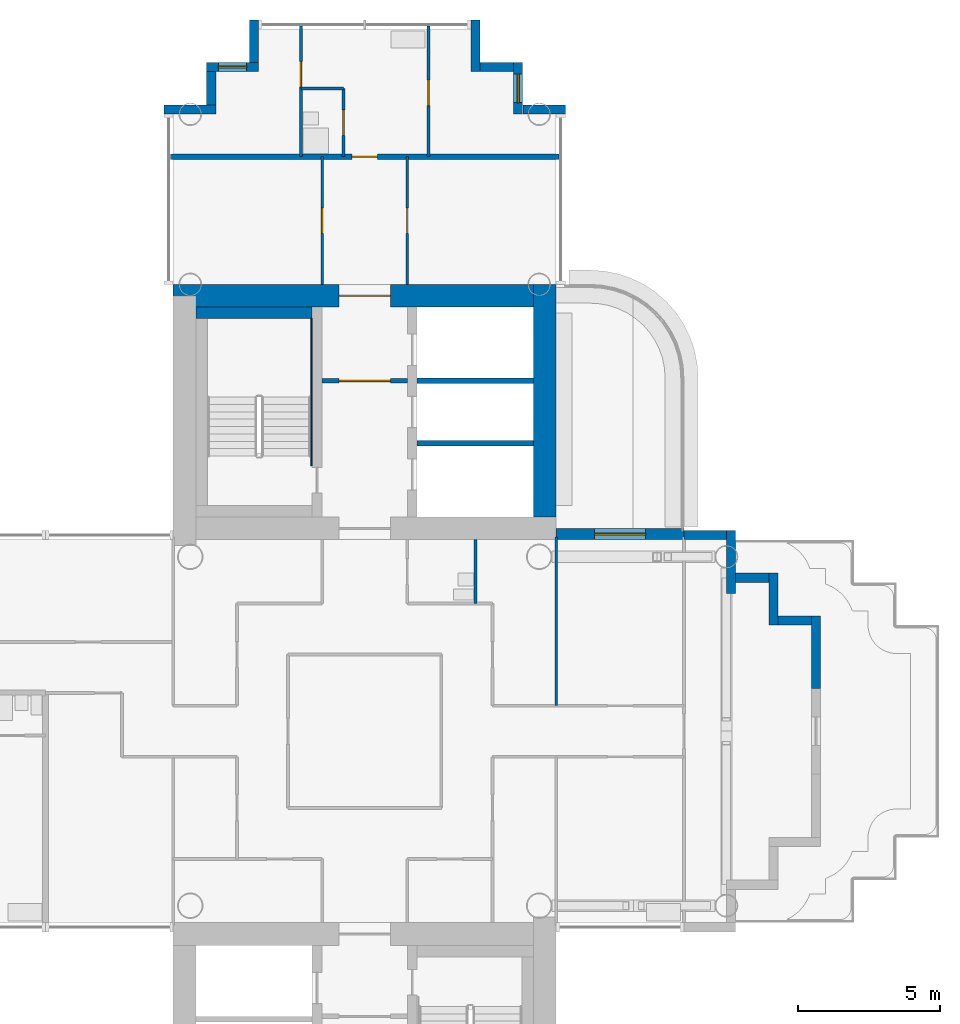
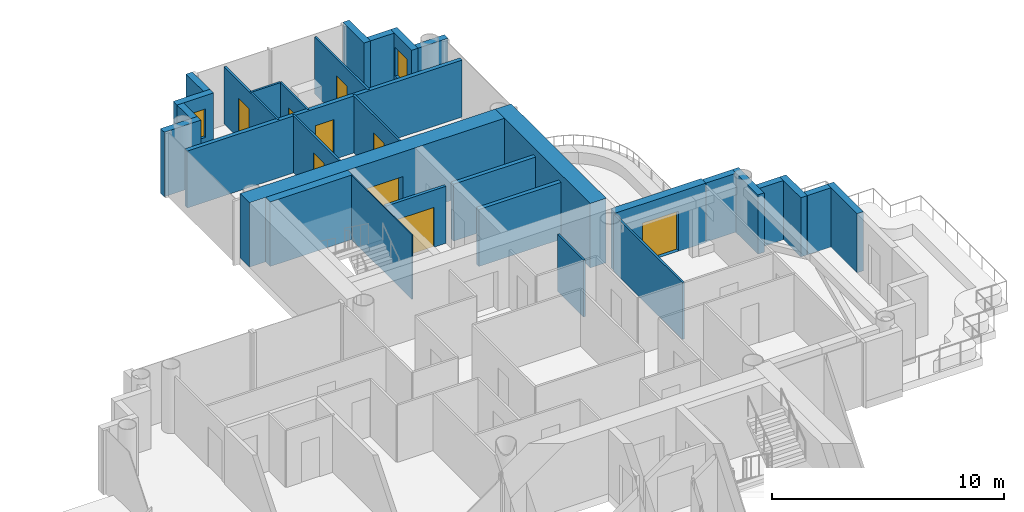
# One storey, part 12 of 19: 31 walls, 9 doors, 2 windows, 11 openings.
"""IFC4 building model written with IfcOpenShell, lengths in metres."""

from ifc_helpers import new_model, si_unit, direction, frame, frame_2d, origin, place, context, subcontext, project, spatial, rectangle, extrude, material, layer, layer_set, type_object, element, fill, save


model = new_model("IFC4")

# Units and contexts
model_context = context("Model", 3, precision=1e-05, world=origin(), true_north=direction((0.0, 1.0)))
body_context = subcontext(model_context, "Body", "Model", "MODEL_VIEW")
ifc_project = project(units=[si_unit("LENGTHUNIT", "METRE"), si_unit("AREAUNIT", "SQUARE_METRE"), si_unit("VOLUMEUNIT", "CUBIC_METRE"), si_unit("PLANEANGLEUNIT", "RADIAN"), si_unit("MASSUNIT", "GRAM", prefix="KILO")], contexts=[model_context])

# Site, building, storey
site_placement = place(None, origin())
site = spatial("IfcSite", under=ifc_project, at=site_placement, CompositionType="ELEMENT")
building_placement = place(site_placement, origin())
building = spatial("IfcBuilding", under=site, at=building_placement, Name="Ipe Terrace Towers", CompositionType="ELEMENT")
storey_placement = place(building_placement, frame((0.0, 0.0, 133.699951171875)))
storey = spatial("IfcBuildingStorey", under=building, at=storey_placement, Name="L36", CompositionType="ELEMENT", Elevation=133.699951171875)

# Wall, opening, door
ifc_material_1 = material(Name="Concrete C40/50 with buff precast cladding", Category="concrete")
ifc_layer_1 = layer(ifc_material_1, 0.39990234375)
ifc_layer_set_1 = layer_set([ifc_layer_1], Name="BALCONY BAY WALL 400")
wall_type_1 = type_object("IfcWallType", Name="BALCONY BAY WALL 400", PredefinedType="STANDARD", material=ifc_layer_set_1)
wall_1_placement = place(storey_placement, frame((47.25, 6.949951171875, -0.02001953125), z_axis=(0.0, 0.0, 1.0), x_axis=(-1.0, 0.0, 0.0)))
wall_1 = element("IfcWall", 1, at=wall_1_placement, inside=storey, type_object=wall_type_1, Name="T2-W-L36-14a wall", PredefinedType="STANDARD", context=body_context, shape_type="SweptSolid", body=[
    extrude(rectangle(XDim=4.5, YDim=0.39990234375, at=frame_2d((2.25, 0.0))), origin(), (0.0, 0.0, 1.0), 3.1201171875),
])
opening_1_placement = place(wall_1_placement, frame((1.35009765625, 0.0, 0.02001953125)))
opening_1 = element("IfcOpeningElement", 2, at=opening_1_placement, cuts=wall_1, Name="Opening T2-D-L36-14", PredefinedType="OPENING", context=body_context, shape_type="SweptSolid", body=[
    extrude(rectangle(XDim=1.800048828125, YDim=2.10009765625, at=frame_2d((0.89990234375, 1.050048828125))), frame((0.0, 0.2099609375, 0.0), z_axis=(0.0, -1.0, 0.0), x_axis=(1.0, 0.0, 0.0)), (0.0, 0.0, 1.0), 0.419921875),
])
ifc_material_2 = material(Name="Aluminium alloy 6063-T6 framed glazed door", Category="aluminium")
door_type_1 = type_object("IfcDoorType", Name="BALCONY DOOR 1800 x 2100 RIGHT", OperationType="SINGLE_SWING_RIGHT", PredefinedType="DOOR", material=ifc_material_2)
door_1_placement = place(opening_1_placement, origin())
door_1 = element("IfcDoor", 3, at=door_1_placement, inside=storey, type_object=door_type_1, Name="DB2 door", OperationType="SINGLE_SWING_RIGHT", OverallHeight=2.10009765625, OverallWidth=1.800048828125, PredefinedType="DOOR", context=body_context, shape_type="SweptSolid", body=[
    extrude(rectangle(XDim=1.800048828125, YDim=2.10009765625, at=frame_2d((0.89990234375, 1.050048828125))), frame((0.0, 0.02490234375, 0.0), z_axis=(0.0, -1.0, 0.0), x_axis=(1.0, 0.0, 0.0)), (0.0, 0.0, 1.0), 0.050048828125),
])
fill(opening_1, door_1)

# Walls
ifc_material_3 = material(Name="Concrete C40/50 with buff precast cladding", Category="concrete")
ifc_layer_2 = layer(ifc_material_3, 0.320068359375)
ifc_layer_set_2 = layer_set([ifc_layer_2], Name="BUFF CLADDING WALL 320")
wall_type_2 = type_object("IfcWallType", Name="BUFF CLADDING WALL 320", PredefinedType="STANDARD", material=ifc_layer_set_2)
wall_2_placement = place(storey_placement, frame((51.909912109375, 1.5, -0.02001953125), z_axis=(0.0, 0.0, 1.0), x_axis=(0.0, 1.0, 0.0)))
element("IfcWall", 4, at=wall_2_placement, inside=storey, type_object=wall_type_2, Name="T2-W-L36-08c wall", PredefinedType="STANDARD", context=body_context, shape_type="SweptSolid", body=[
    extrude(rectangle(XDim=2.570068359375, YDim=0.320068359375, at=frame_2d((1.28515625, 0.0))), origin(), (0.0, 0.0, 1.0), 3.1201171875),
])
wall_3_placement = place(storey_placement, frame((51.75, 3.909912109375, -0.02001953125), z_axis=(0.0, 0.0, 1.0), x_axis=(-1.0, 0.0, 0.0)))
element("IfcWall", 5, at=wall_3_placement, inside=storey, type_object=wall_type_2, Name="T2-W-L36-09a wall", PredefinedType="STANDARD", context=body_context, shape_type="SweptSolid", body=[
    extrude(rectangle(XDim=1.179931640625, YDim=0.320068359375, at=frame_2d((0.58984375, 0.0))), origin(), (0.0, 0.0, 1.0), 3.1201171875),
])
wall_4_placement = place(storey_placement, frame((50.409912109375, 3.75, -0.02001953125), z_axis=(0.0, 0.0, 1.0), x_axis=(0.0, 1.0, 0.0)))
element("IfcWall", 6, at=wall_4_placement, inside=storey, type_object=wall_type_2, Name="T2-W-L36-10a wall", PredefinedType="STANDARD", context=body_context, shape_type="SweptSolid", body=[
    extrude(rectangle(XDim=1.820068359375, YDim=0.320068359375, at=frame_2d((0.91015625, 0.0))), origin(), (0.0, 0.0, 1.0), 3.1201171875),
])
wall_5_placement = place(storey_placement, frame((50.25, 5.409912109375, -0.02001953125), z_axis=(0.0, 0.0, 1.0), x_axis=(-1.0, 0.0, 0.0)))
element("IfcWall", 7, at=wall_5_placement, inside=storey, type_object=wall_type_2, Name="T2-W-L36-11a wall", PredefinedType="STANDARD", context=body_context, shape_type="SweptSolid", body=[
    extrude(rectangle(XDim=1.179931640625, YDim=0.320068359375, at=frame_2d((0.58984375, 0.0))), origin(), (0.0, 0.0, 1.0), 3.1201171875),
])
wall_6_placement = place(storey_placement, frame((48.909912109375, 4.860107421875, -0.02001953125), z_axis=(0.0, 0.0, 1.0), x_axis=(0.0, 1.0, 0.0)))
element("IfcWall", 8, at=wall_6_placement, inside=storey, type_object=wall_type_2, Name="T2-W-L36-12a wall", PredefinedType="STANDARD", context=body_context, shape_type="SweptSolid", body=[
    extrude(rectangle(XDim=2.2099609375, YDim=0.320068359375, at=frame_2d((1.10498046875, 0.0))), origin(), (0.0, 0.0, 1.0), 3.1201171875),
])
wall_7_placement = place(storey_placement, frame((48.75, 6.909912109375, 0.0), z_axis=(0.0, 0.0, 1.0), x_axis=(-1.0, 0.0, 0.0)))
element("IfcWall", 9, at=wall_7_placement, inside=storey, type_object=wall_type_2, Name="T2-W-L36-13a wall", PredefinedType="STANDARD", context=body_context, shape_type="SweptSolid", body=[
    extrude(rectangle(XDim=1.5, YDim=0.320068359375, at=frame_2d((0.75, 0.0))), origin(), (0.0, 0.0, 1.0), 3.10009765625),
])
wall_8_placement = place(storey_placement, frame((43.070068359375, 21.909912109375, -0.300048828125), z_axis=(0.0, 0.0, 1.0), x_axis=(-1.0, 0.0, 0.0)))
element("IfcWall", 10, at=wall_8_placement, inside=storey, type_object=wall_type_2, Name="T2-W-L36-17a wall", PredefinedType="STANDARD", context=body_context, shape_type="SweptSolid", body=[
    extrude(rectangle(XDim=1.5, YDim=0.320068359375, at=frame_2d((0.75, 0.0))), origin(), (0.0, 0.0, 1.0), 3.400146484375),
])

# Wall, opening, window
wall_9_placement = place(storey_placement, frame((41.409912109375, 21.75, -0.300048828125), z_axis=(0.0, 0.0, 1.0), x_axis=(0.0, 1.0, 0.0)))
wall_9 = element("IfcWall", 11, at=wall_9_placement, inside=storey, type_object=wall_type_2, Name="T2-W-L36-18a wall", PredefinedType="STANDARD", context=body_context, shape_type="SweptSolid", body=[
    extrude(rectangle(XDim=1.820068359375, YDim=0.320068359375, at=frame_2d((0.91015625, 0.0))), origin(), (0.0, 0.0, 1.0), 3.400146484375),
])
opening_2_placement = place(wall_9_placement, frame((0.409912109375, 0.0, 1.199951171875)))
opening_2 = element("IfcOpeningElement", 12, at=opening_2_placement, cuts=wall_9, Name="Opening T2-W-05-L36-02", PredefinedType="OPENING", context=body_context, shape_type="SweptSolid", body=[
    extrude(rectangle(XDim=1.0, YDim=1.5, at=frame_2d((0.5, 0.75))), frame((0.0, 0.169921875, 0.0), z_axis=(0.0, -1.0, 0.0), x_axis=(1.0, 0.0, 0.0)), (0.0, 0.0, 1.0), 0.340087890625),
])
ifc_material_4 = material(Name="Glass, clear laminated", Category="glass")
window_type = type_object("IfcWindowType", Name="DWELLING WINDOW 1000 x 1500", PartitioningType="SINGLE_PANEL", PredefinedType="WINDOW", material=ifc_material_4)
window_1_placement = place(opening_2_placement, origin())
window_1 = element("IfcWindow", 13, at=window_1_placement, inside=storey, type_object=window_type, Name="W-05 window", OverallHeight=1.5, OverallWidth=1.0, PartitioningType="SINGLE_PANEL", PredefinedType="WINDOW", context=body_context, shape_type="SweptSolid", body=[
    extrude(rectangle(XDim=1.0, YDim=1.5, at=frame_2d((0.5, 0.75))), frame((0.0, 0.030029296875, 0.0), z_axis=(0.0, -1.0, 0.0), x_axis=(1.0, 0.0, 0.0)), (0.0, 0.0, 1.0), 0.06005859375),
])
fill(opening_2, window_1)

# Walls
wall_10_placement = place(storey_placement, frame((41.25, 23.409912109375, -0.300048828125), z_axis=(0.0, 0.0, 1.0), x_axis=(-1.0, 0.0, 0.0)))
element("IfcWall", 14, at=wall_10_placement, inside=storey, type_object=wall_type_2, Name="T2-W-L36-19a wall", PredefinedType="STANDARD", context=body_context, shape_type="SweptSolid", body=[
    extrude(rectangle(XDim=1.179931640625, YDim=0.320068359375, at=frame_2d((0.58984375, 0.0))), origin(), (0.0, 0.0, 1.0), 3.400146484375),
])
wall_11_placement = place(storey_placement, frame((39.909912109375, 23.25, -0.300048828125), z_axis=(0.0, 0.0, 1.0), x_axis=(0.0, 1.0, 0.0)))
element("IfcWall", 15, at=wall_11_placement, inside=storey, type_object=wall_type_2, Name="T2-W-L36-20a wall", PredefinedType="STANDARD", context=body_context, shape_type="SweptSolid", body=[
    extrude(rectangle(XDim=1.820068359375, YDim=0.320068359375, at=frame_2d((0.91015625, 0.0))), origin(), (0.0, 0.0, 1.0), 3.400146484375),
])
wall_12_placement = place(storey_placement, frame((32.090087890625, 25.070068359375, -0.300048828125), z_axis=(0.0, 0.0, 1.0), x_axis=(0.0, -1.0, 0.0)))
element("IfcWall", 16, at=wall_12_placement, inside=storey, type_object=wall_type_2, Name="T2-W-L36-22a wall", PredefinedType="STANDARD", context=body_context, shape_type="SweptSolid", body=[
    extrude(rectangle(XDim=1.5, YDim=0.320068359375, at=frame_2d((0.75, 0.0))), origin(), (0.0, 0.0, 1.0), 3.400146484375),
])

# Wall, opening, window
wall_13_placement = place(storey_placement, frame((32.25, 23.409912109375, -0.300048828125), z_axis=(0.0, 0.0, 1.0), x_axis=(-1.0, 0.0, 0.0)))
wall_13 = element("IfcWall", 17, at=wall_13_placement, inside=storey, type_object=wall_type_2, Name="T2-W-L36-23a wall", PredefinedType="STANDARD", context=body_context, shape_type="SweptSolid", body=[
    extrude(rectangle(XDim=1.820068359375, YDim=0.320068359375, at=frame_2d((0.91015625, 0.0))), origin(), (0.0, 0.0, 1.0), 3.400146484375),
])
opening_3_placement = place(wall_13_placement, frame((0.409912109375, 0.0, 1.199951171875)))
opening_3 = element("IfcOpeningElement", 18, at=opening_3_placement, cuts=wall_13, Name="Opening T2-W-05-L36-01", PredefinedType="OPENING", context=body_context, shape_type="SweptSolid", body=[
    extrude(rectangle(XDim=1.0, YDim=1.5, at=frame_2d((0.5, 0.75))), frame((0.0, 0.169921875, 0.0), z_axis=(0.0, -1.0, 0.0), x_axis=(1.0, 0.0, 0.0)), (0.0, 0.0, 1.0), 0.340087890625),
])
window_2_placement = place(opening_3_placement, origin())
window_2 = element("IfcWindow", 19, at=window_2_placement, inside=storey, type_object=window_type, Name="W-05 window", OverallHeight=1.5, OverallWidth=1.0, PartitioningType="SINGLE_PANEL", PredefinedType="WINDOW", context=body_context, shape_type="SweptSolid", body=[
    extrude(rectangle(XDim=1.0, YDim=1.5, at=frame_2d((0.5, 0.75))), frame((0.0, 0.030029296875, 0.0), z_axis=(0.0, -1.0, 0.0), x_axis=(1.0, 0.0, 0.0)), (0.0, 0.0, 1.0), 0.06005859375),
])
fill(opening_3, window_2)

# Walls
wall_14_placement = place(storey_placement, frame((30.590087890625, 23.25, -0.300048828125), z_axis=(0.0, 0.0, 1.0), x_axis=(0.0, -1.0, 0.0)))
element("IfcWall", 20, at=wall_14_placement, inside=storey, type_object=wall_type_2, Name="T2-W-L36-24a wall", PredefinedType="STANDARD", context=body_context, shape_type="SweptSolid", body=[
    extrude(rectangle(XDim=1.179931640625, YDim=0.320068359375, at=frame_2d((0.58984375, 0.0))), origin(), (0.0, 0.0, 1.0), 3.400146484375),
])
wall_15_placement = place(storey_placement, frame((30.75, 21.909912109375, -0.300048828125), z_axis=(0.0, 0.0, 1.0), x_axis=(-1.0, 0.0, 0.0)))
element("IfcWall", 21, at=wall_15_placement, inside=storey, type_object=wall_type_2, Name="T2-W-L36-25a wall", PredefinedType="STANDARD", context=body_context, shape_type="SweptSolid", body=[
    extrude(rectangle(XDim=1.820068359375, YDim=0.320068359375, at=frame_2d((0.91015625, 0.0))), origin(), (0.0, 0.0, 1.0), 3.400146484375),
])
ifc_material_5 = material(Name="Gypsum board partition", Category="plasterboard")
ifc_layer_3 = layer(ifc_material_5, 0.10009765625)
ifc_layer_set_3 = layer_set([ifc_layer_3], Name="Gypsum board partition 100 mm")
wall_type_3 = type_object("IfcWallType", Name="Gypsum board partition 100 mm", PredefinedType="PARTITIONING", material=ifc_layer_set_3)
wall_16_placement = place(storey_placement, frame((35.25, 22.64990234375, 0.0), z_axis=(0.0, 0.0, 1.0), x_axis=(-1.0, 0.0, 0.0)))
element("IfcWall", 22, at=wall_16_placement, inside=storey, type_object=wall_type_3, Name="Gypsum board partition T2 L36 W16", PredefinedType="PARTITIONING", context=body_context, shape_type="SweptSolid", body=[
    extrude(rectangle(XDim=1.5, YDim=0.10009765625, at=frame_2d((0.75, 0.0))), origin(), (0.0, 0.0, 1.0), 3.0),
])
wall_17_placement = place(storey_placement, frame((42.75, 0.89990234375, 0.0), z_axis=(0.0, 0.0, 1.0), x_axis=(0.0, 1.0, 0.0)))
element("IfcWall", 23, at=wall_17_placement, inside=storey, type_object=wall_type_3, Name="Gypsum board partition T2 L36 W19", PredefinedType="PARTITIONING", context=body_context, shape_type="SweptSolid", body=[
    extrude(rectangle(XDim=5.9501953125, YDim=0.10009765625, at=frame_2d((2.97509765625, 0.0))), origin(), (0.0, 0.0, 1.0), 3.0),
])
wall_18_placement = place(storey_placement, frame((39.89990234375, 4.5, 0.0), z_axis=(0.0, 0.0, 1.0), x_axis=(0.0, 1.0, 0.0)))
element("IfcWall", 24, at=wall_18_placement, inside=storey, type_object=wall_type_3, Name="Gypsum board partition T2 L36 W22", PredefinedType="PARTITIONING", context=body_context, shape_type="SweptSolid", body=[
    extrude(rectangle(XDim=2.25, YDim=0.10009765625, at=frame_2d((1.125, 0.0))), origin(), (0.0, 0.0, 1.0), 3.0),
])

# Wall, opening, door
wall_19_placement = place(storey_placement, frame((38.25, 20.25, 0.0), z_axis=(0.0, 0.0, 1.0), x_axis=(0.0, 1.0, 0.0)))
wall_19 = element("IfcWall", 25, at=wall_19_placement, inside=storey, type_object=wall_type_3, Name="Gypsum board partition T2 L36 W24", PredefinedType="PARTITIONING", context=body_context, shape_type="SweptSolid", body=[
    extrude(rectangle(XDim=4.60009765625, YDim=0.10009765625, at=frame_2d((2.300048828125, 0.0))), origin(), (0.0, 0.0, 1.0), 3.0),
])
opening_4_placement = place(wall_19_placement, frame((1.800048828125, 0.0, 0.0)))
opening_4 = element("IfcOpeningElement", 26, at=opening_4_placement, cuts=wall_19, Name="Opening T2-Z3A-22", PredefinedType="OPENING", context=body_context, shape_type="SweptSolid", body=[
    extrude(rectangle(XDim=0.89990234375, YDim=2.10009765625, at=frame_2d((0.449951171875, 1.050048828125))), frame((0.0, 0.06005859375, 0.0), z_axis=(0.0, -1.0, 0.0), x_axis=(1.0, 0.0, 0.0)), (0.0, 0.0, 1.0), 0.1201171875),
])
ifc_material_6 = material(Name="Timber door leaf", Category="wood")
door_type_2 = type_object("IfcDoorType", Name="Bedroom door 900 x 2100", OperationType="NOTDEFINED", PredefinedType="DOOR", material=ifc_material_6)
door_2_placement = place(opening_4_placement, origin())
door_2 = element("IfcDoor", 27, at=door_2_placement, inside=storey, type_object=door_type_2, Name="Bedroom door T2-Z3A-22", OperationType="SINGLE_SWING_LEFT", OverallHeight=2.10009765625, OverallWidth=0.89990234375, PredefinedType="DOOR", context=body_context, shape_type="SweptSolid", body=[
    extrude(rectangle(XDim=0.89990234375, YDim=2.10009765625, at=frame_2d((0.449951171875, 1.050048828125))), frame((0.0, 0.02490234375, 0.0), z_axis=(0.0, -1.0, 0.0), x_axis=(1.0, 0.0, 0.0)), (0.0, 0.0, 1.0), 0.050048828125),
])
fill(opening_4, door_2)

wall_20_placement = place(storey_placement, frame((37.5, 15.75, 0.0), z_axis=(0.0, 0.0, 1.0), x_axis=(0.0, 1.0, 0.0)))
wall_20 = element("IfcWall", 28, at=wall_20_placement, inside=storey, type_object=wall_type_3, Name="Gypsum board partition T2 L36 W27", PredefinedType="PARTITIONING", context=body_context, shape_type="SweptSolid", body=[
    extrude(rectangle(XDim=4.5, YDim=0.10009765625, at=frame_2d((2.25, 0.0))), origin(), (0.0, 0.0, 1.0), 3.0),
])
opening_5_placement = place(wall_20_placement, frame((1.800048828125, 0.0, 0.0)))
opening_5 = element("IfcOpeningElement", 29, at=opening_5_placement, cuts=wall_20, Name="Opening T2-Z3A-18", PredefinedType="OPENING", context=body_context, shape_type="SweptSolid", body=[
    extrude(rectangle(XDim=0.89990234375, YDim=2.10009765625, at=frame_2d((0.449951171875, 1.050048828125))), frame((0.0, 0.06005859375, 0.0), z_axis=(0.0, -1.0, 0.0), x_axis=(1.0, 0.0, 0.0)), (0.0, 0.0, 1.0), 0.1201171875),
])
ifc_material_7 = material(Name="Timber door leaf", Category="wood")
door_type_3 = type_object("IfcDoorType", Name="Lounge door 900 x 2100", OperationType="NOTDEFINED", PredefinedType="DOOR", material=ifc_material_7)
door_3_placement = place(opening_5_placement, origin())
door_3 = element("IfcDoor", 30, at=door_3_placement, inside=storey, type_object=door_type_3, Name="Lounge door T2-Z3A-18", OperationType="SINGLE_SWING_RIGHT", OverallHeight=2.10009765625, OverallWidth=0.89990234375, PredefinedType="DOOR", context=body_context, shape_type="SweptSolid", body=[
    extrude(rectangle(XDim=0.89990234375, YDim=2.10009765625, at=frame_2d((0.449951171875, 1.050048828125))), frame((0.0, 0.02490234375, 0.0), z_axis=(0.0, -1.0, 0.0), x_axis=(1.0, 0.0, 0.0)), (0.0, 0.0, 1.0), 0.050048828125),
])
fill(opening_5, door_3)

wall_21_placement = place(storey_placement, frame((35.25, 20.25, 0.0), z_axis=(0.0, 0.0, 1.0), x_axis=(0.0, 1.0, 0.0)))
wall_21 = element("IfcWall", 31, at=wall_21_placement, inside=storey, type_object=wall_type_3, Name="Gypsum board partition T2 L36 W28", PredefinedType="PARTITIONING", context=body_context, shape_type="SweptSolid", body=[
    extrude(rectangle(XDim=2.39990234375, YDim=0.10009765625, at=frame_2d((1.199951171875, 0.0))), origin(), (0.0, 0.0, 1.0), 3.0),
])
opening_6_placement = place(wall_21_placement, frame((0.75, 0.0, 0.0)))
opening_6 = element("IfcOpeningElement", 32, at=opening_6_placement, cuts=wall_21, Name="Opening T2-Z3A-19", PredefinedType="OPENING", context=body_context, shape_type="SweptSolid", body=[
    extrude(rectangle(XDim=0.89990234375, YDim=2.10009765625, at=frame_2d((0.449951171875, 1.050048828125))), frame((0.0, 0.06005859375, 0.0), z_axis=(0.0, -1.0, 0.0), x_axis=(1.0, 0.0, 0.0)), (0.0, 0.0, 1.0), 0.1201171875),
])
ifc_material_8 = material(Name="Timber door leaf", Category="wood")
door_type_4 = type_object("IfcDoorType", Name="Bathroom door 900 x 2100", OperationType="NOTDEFINED", PredefinedType="DOOR", material=ifc_material_8)
door_4_placement = place(opening_6_placement, origin())
door_4 = element("IfcDoor", 33, at=door_4_placement, inside=storey, type_object=door_type_4, Name="Bathroom door T2-Z3A-19", OperationType="SINGLE_SWING_LEFT", OverallHeight=2.10009765625, OverallWidth=0.89990234375, PredefinedType="DOOR", context=body_context, shape_type="SweptSolid", body=[
    extrude(rectangle(XDim=0.89990234375, YDim=2.10009765625, at=frame_2d((0.449951171875, 1.050048828125))), frame((0.0, 0.02490234375, 0.0), z_axis=(0.0, -1.0, 0.0), x_axis=(1.0, 0.0, 0.0)), (0.0, 0.0, 1.0), 0.050048828125),
])
fill(opening_6, door_4)

wall_22_placement = place(storey_placement, frame((34.5, 15.75, 0.0), z_axis=(0.0, 0.0, 1.0), x_axis=(0.0, 1.0, 0.0)))
wall_22 = element("IfcWall", 34, at=wall_22_placement, inside=storey, type_object=wall_type_3, Name="Gypsum board partition T2 L36 W31", PredefinedType="PARTITIONING", context=body_context, shape_type="SweptSolid", body=[
    extrude(rectangle(XDim=4.5, YDim=0.10009765625, at=frame_2d((2.25, 0.0))), origin(), (0.0, 0.0, 1.0), 3.0),
])
opening_7_placement = place(wall_22_placement, frame((1.800048828125, 0.0, 0.0)))
opening_7 = element("IfcOpeningElement", 35, at=opening_7_placement, cuts=wall_22, Name="Opening T2-Z3A-17", PredefinedType="OPENING", context=body_context, shape_type="SweptSolid", body=[
    extrude(rectangle(XDim=0.89990234375, YDim=2.10009765625, at=frame_2d((0.449951171875, 1.050048828125))), frame((0.0, 0.06005859375, 0.0), z_axis=(0.0, -1.0, 0.0), x_axis=(1.0, 0.0, 0.0)), (0.0, 0.0, 1.0), 0.1201171875),
])
door_5_placement = place(opening_7_placement, origin())
door_5 = element("IfcDoor", 36, at=door_5_placement, inside=storey, type_object=door_type_3, Name="Lounge door T2-Z3A-17", OperationType="SINGLE_SWING_LEFT", OverallHeight=2.10009765625, OverallWidth=0.89990234375, PredefinedType="DOOR", context=body_context, shape_type="SweptSolid", body=[
    extrude(rectangle(XDim=0.89990234375, YDim=2.10009765625, at=frame_2d((0.449951171875, 1.050048828125))), frame((0.0, 0.02490234375, 0.0), z_axis=(0.0, -1.0, 0.0), x_axis=(1.0, 0.0, 0.0)), (0.0, 0.0, 1.0), 0.050048828125),
])
fill(opening_7, door_5)

wall_23_placement = place(storey_placement, frame((33.75, 20.25, 0.0), z_axis=(0.0, 0.0, 1.0), x_axis=(0.0, 1.0, 0.0)))
wall_23 = element("IfcWall", 37, at=wall_23_placement, inside=storey, type_object=wall_type_3, Name="Gypsum board partition T2 L36 W32", PredefinedType="PARTITIONING", context=body_context, shape_type="SweptSolid", body=[
    extrude(rectangle(XDim=4.60009765625, YDim=0.10009765625, at=frame_2d((2.300048828125, 0.0))), origin(), (0.0, 0.0, 1.0), 3.0),
])
opening_8_placement = place(wall_23_placement, frame((2.449951171875, 0.0, 0.0)))
opening_8 = element("IfcOpeningElement", 38, at=opening_8_placement, cuts=wall_23, Name="Opening T2-Z3A-21", PredefinedType="OPENING", context=body_context, shape_type="SweptSolid", body=[
    extrude(rectangle(XDim=0.89990234375, YDim=2.10009765625, at=frame_2d((0.449951171875, 1.050048828125))), frame((0.0, 0.06005859375, 0.0), z_axis=(0.0, -1.0, 0.0), x_axis=(1.0, 0.0, 0.0)), (0.0, 0.0, 1.0), 0.1201171875),
])
door_6_placement = place(opening_8_placement, origin())
door_6 = element("IfcDoor", 39, at=door_6_placement, inside=storey, type_object=door_type_2, Name="Bedroom door T2-Z3A-21", OperationType="SINGLE_SWING_LEFT", OverallHeight=2.10009765625, OverallWidth=0.89990234375, PredefinedType="DOOR", context=body_context, shape_type="SweptSolid", body=[
    extrude(rectangle(XDim=0.89990234375, YDim=2.10009765625, at=frame_2d((0.449951171875, 1.050048828125))), frame((0.0, 0.02490234375, 0.0), z_axis=(0.0, -1.0, 0.0), x_axis=(1.0, 0.0, 0.0)), (0.0, 0.0, 1.0), 0.050048828125),
])
fill(opening_8, door_6)

ifc_material_9 = material(Name="Gypsum board partition", Category="plasterboard")
ifc_layer_4 = layer(ifc_material_9, 0.14990234375)
ifc_layer_set_4 = layer_set([ifc_layer_4], Name="Gypsum board partition 150 mm")
wall_type_4 = type_object("IfcWallType", Name="Gypsum board partition 150 mm", PredefinedType="PARTITIONING", material=ifc_layer_set_4)
wall_24_placement = place(storey_placement, frame((37.5, 12.35009765625, 0.0), z_axis=(0.0, 0.0, 1.0), x_axis=(-1.0, 0.0, 0.0)))
wall_24 = element("IfcWall", 40, at=wall_24_placement, inside=storey, type_object=wall_type_4, Name="Gypsum board partition T2 L36 t2c1-lobby-wall", PredefinedType="PARTITIONING", context=body_context, shape_type="SweptSolid", body=[
    extrude(rectangle(XDim=3.0, YDim=0.14990234375, at=frame_2d((1.5, 0.0))), origin(), (0.0, 0.0, 1.0), 3.0),
])
opening_9_placement = place(wall_24_placement, frame((0.60009765625, 0.0, 0.0)))
opening_9 = element("IfcOpeningElement", 41, at=opening_9_placement, cuts=wall_24, Name="Opening T2C1-VD", PredefinedType="OPENING", context=body_context, shape_type="SweptSolid", body=[
    extrude(rectangle(XDim=1.800048828125, YDim=2.10009765625, at=frame_2d((0.89990234375, 1.050048828125))), frame((0.0, 0.0849609375, 0.0), z_axis=(0.0, -1.0, 0.0), x_axis=(1.0, 0.0, 0.0)), (0.0, 0.0, 1.0), 0.169921875),
])
ifc_material_10 = material(Name="Fire-rated timber door leaf", Category="wood")
door_type_5 = type_object("IfcDoorType", Name="Lobby door 1800 x 2100 FD60", OperationType="NOTDEFINED", PredefinedType="DOOR", material=ifc_material_10)
door_7_placement = place(opening_9_placement, origin())
door_7 = element("IfcDoor", 42, at=door_7_placement, inside=storey, type_object=door_type_5, Name="Lobby door T2C1-VD", OperationType="SINGLE_SWING_LEFT", OverallHeight=2.10009765625, OverallWidth=1.800048828125, PredefinedType="DOOR", context=body_context, shape_type="SweptSolid", body=[
    extrude(rectangle(XDim=1.800048828125, YDim=2.10009765625, at=frame_2d((0.89990234375, 1.050048828125))), frame((0.0, 0.02490234375, 0.0), z_axis=(0.0, -1.0, 0.0), x_axis=(1.0, 0.0, 0.0)), (0.0, 0.0, 1.0), 0.050048828125),
])
fill(opening_9, door_7)

# Walls
ifc_material_11 = material(Name="Gypsum board party wall", Category="plasterboard")
ifc_layer_5 = layer(ifc_material_11, 0.199951171875)
ifc_layer_set_5 = layer_set([ifc_layer_5], Name="Gypsum board party wall 200 mm")
wall_type_5 = type_object("IfcWallType", Name="Gypsum board party wall 200 mm", PredefinedType="SOLIDWALL", material=ifc_layer_set_5)
for number, where, z_axis, x_axis, name in (
    (43, (41.949951171875, 10.14990234375, 0.0), (0.0, 0.0, 1.0), (-1.0, 0.0, 0.0), "Gypsum board party wall T2 L36 t2c1-shaft-div1"),
    (44, (41.949951171875, 12.35009765625, 0.0), (0.0, 0.0, 1.0), (-1.0, 0.0, 0.0), "Gypsum board party wall T2 L36 t2c1-shaft-div2"),
):
    element("IfcWall", number, at=place(storey_placement, frame(where, z_axis=z_axis, x_axis=x_axis)), inside=storey, type_object=wall_type_5, Name=name, PredefinedType="SOLIDWALL", context=body_context, shape_type="SweptSolid", body=[
        extrude(rectangle(XDim=4.099853515625, YDim=0.199951171875, at=frame_2d((2.0498046875, 0.0))), origin(), (0.0, 0.0, 1.0), 3.0),
    ])

# Wall, opening, door
wall_25_placement = place(storey_placement, frame((42.85009765625, 20.25, 0.0), z_axis=(0.0, 0.0, 1.0), x_axis=(-1.0, 0.0, 0.0)))
wall_25 = element("IfcWall", 45, at=wall_25_placement, inside=storey, type_object=wall_type_5, Name="Gypsum board party wall T2 L36 W15", PredefinedType="SOLIDWALL", context=body_context, shape_type="SweptSolid", body=[
    extrude(rectangle(XDim=13.7001953125, YDim=0.199951171875, at=frame_2d((6.85009765625, 0.0))), origin(), (0.0, 0.0, 1.0), 3.0),
])
opening_10_placement = place(wall_25_placement, frame((6.39990234375, 0.0, 0.0)))
opening_10 = element("IfcOpeningElement", 46, at=opening_10_placement, cuts=wall_25, Name="Opening T2-Z3A-20", PredefinedType="OPENING", context=body_context, shape_type="SweptSolid", body=[
    extrude(rectangle(XDim=0.89990234375, YDim=2.10009765625, at=frame_2d((0.449951171875, 1.050048828125))), frame((0.0, 0.10986328125, 0.0), z_axis=(0.0, -1.0, 0.0), x_axis=(1.0, 0.0, 0.0)), (0.0, 0.0, 1.0), 0.219970703125),
])
ifc_material_12 = material(Name="Fire-rated timber door leaf", Category="wood")
door_type_6 = type_object("IfcDoorType", Name="Flat entrance door 900 x 2100 FD30S", OperationType="NOTDEFINED", PredefinedType="DOOR", material=ifc_material_12)
door_8_placement = place(opening_10_placement, origin())
door_8 = element("IfcDoor", 47, at=door_8_placement, inside=storey, type_object=door_type_6, Name="Flat entrance door T2-Z3A-20", OperationType="SINGLE_SWING_RIGHT", OverallHeight=2.10009765625, OverallWidth=0.89990234375, PredefinedType="DOOR", context=body_context, shape_type="SweptSolid", body=[
    extrude(rectangle(XDim=0.89990234375, YDim=2.10009765625, at=frame_2d((0.449951171875, 1.050048828125))), frame((0.0, 0.02490234375, 0.0), z_axis=(0.0, -1.0, 0.0), x_axis=(1.0, 0.0, 0.0)), (0.0, 0.0, 1.0), 0.050048828125),
])
fill(opening_10, door_8)

# Walls
ifc_material_13 = material(Name="Concrete C50/60", Category="concrete")
ifc_layer_6 = layer(ifc_material_13, 0.39990234375)
ifc_layer_set_6 = layer_set([ifc_layer_6], Name="RW400 CORE INFILL WALL 400 C50-60")
wall_type_6 = type_object("IfcWallType", Name="RW400 CORE INFILL WALL 400 C50-60", PredefinedType="SHEAR", material=ifc_layer_set_6)
wall_26_placement = place(storey_placement, frame((34.14990234375, 14.75, 0.0), z_axis=(0.0, 0.0, 1.0), x_axis=(-1.0, 0.0, 0.0)))
element("IfcWall", 48, at=wall_26_placement, inside=storey, type_object=wall_type_6, Name="Core infill wall T2-C1-far", PredefinedType="SHEAR", context=body_context, shape_type="SweptSolid", body=[
    extrude(rectangle(XDim=4.099853515625, YDim=0.39990234375, at=frame_2d((2.0498046875, 0.0))), origin(), (0.0, 0.0, 1.0), 3.400146484375),
])
ifc_material_14 = material(Name="Concrete C50/60", Category="concrete")
ifc_layer_7 = layer(ifc_material_14, 0.050048828125)
ifc_layer_set_7 = layer_set([ifc_layer_7], Name="RW50 CORE INFILL WALL 50 C50-60")
wall_type_7 = type_object("IfcWallType", Name="RW50 CORE INFILL WALL 50 C50-60", PredefinedType="SHEAR", material=ifc_layer_set_7)
wall_27_placement = place(storey_placement, frame((34.125, 9.35009765625, 0.0), z_axis=(0.0, 0.0, 1.0), x_axis=(0.0, 1.0, 0.0)))
element("IfcWall", 49, at=wall_27_placement, inside=storey, type_object=wall_type_7, Name="Core infill wall T2-C1-spine-b", PredefinedType="SHEAR", context=body_context, shape_type="SweptSolid", body=[
    extrude(rectangle(XDim=5.199951171875, YDim=0.050048828125, at=frame_2d((2.60009765625, 0.0))), origin(), (0.0, 0.0, 1.0), 3.400146484375),
])
ifc_material_15 = material(Name="Concrete C50/60", Category="concrete")
ifc_layer_8 = layer(ifc_material_15, 0.800048828125)
ifc_layer_set_8 = layer_set([ifc_layer_8], Name="RW800 CORE WALL 800 C50-60")
wall_type_8 = type_object("IfcWallType", Name="RW800 CORE WALL 800 C50-60", PredefinedType="SHEAR", material=ifc_layer_set_8)
wall_28_placement = place(storey_placement, frame((42.35009765625, 7.550048828125, 0.0), z_axis=(0.0, 0.0, 1.0), x_axis=(0.0, 1.0, 0.0)))
element("IfcWall", 50, at=wall_28_placement, inside=storey, type_object=wall_type_8, Name="Core wall T2-C1-Z3-W02", PredefinedType="SHEAR", context=body_context, shape_type="SweptSolid", body=[
    extrude(rectangle(XDim=8.199951171875, YDim=0.800048828125, at=frame_2d((4.10009765625, 0.0))), origin(), (0.0, 0.0, 1.0), 3.400146484375),
])

# Wall, opening, door
wall_29_placement = place(storey_placement, frame((41.949951171875, 15.35009765625, 0.0), z_axis=(0.0, 0.0, 1.0), x_axis=(-1.0, 0.0, 0.0)))
wall_29 = element("IfcWall", 51, at=wall_29_placement, inside=storey, type_object=wall_type_8, Name="Core wall T2-C1-Z3-W03", PredefinedType="SHEAR", context=body_context, shape_type="SweptSolid", body=[
    extrude(rectangle(XDim=12.699951171875, YDim=0.800048828125, at=frame_2d((6.35009765625, 0.0))), origin(), (0.0, 0.0, 1.0), 3.400146484375),
])
opening_11_placement = place(wall_29_placement, frame((5.050048828125, 0.0, 0.0)))
opening_11 = element("IfcOpeningElement", 52, at=opening_11_placement, cuts=wall_29, Name="Opening T2C1-FD", PredefinedType="OPENING", context=body_context, shape_type="SweptSolid", body=[
    extrude(rectangle(XDim=1.800048828125, YDim=2.10009765625, at=frame_2d((0.89990234375, 1.050048828125))), frame((0.0, 0.41015625, 0.0), z_axis=(0.0, -1.0, 0.0), x_axis=(1.0, 0.0, 0.0)), (0.0, 0.0, 1.0), 0.820068359375),
])
ifc_material_16 = material(Name="Fire-rated timber door leaf", Category="wood")
door_type_7 = type_object("IfcDoorType", Name="Fire door 1800 x 2100 FD30S", OperationType="NOTDEFINED", PredefinedType="DOOR", material=ifc_material_16)
door_9_placement = place(opening_11_placement, origin())
door_9 = element("IfcDoor", 53, at=door_9_placement, inside=storey, type_object=door_type_7, Name="Fire door T2C1-FD", OperationType="SINGLE_SWING_LEFT", OverallHeight=2.10009765625, OverallWidth=1.800048828125, PredefinedType="DOOR", context=body_context, shape_type="SweptSolid", body=[
    extrude(rectangle(XDim=1.800048828125, YDim=2.10009765625, at=frame_2d((0.89990234375, 1.050048828125))), frame((0.0, 0.02490234375, 0.0), z_axis=(0.0, -1.0, 0.0), x_axis=(1.0, 0.0, 0.0)), (0.0, 0.0, 1.0), 0.050048828125),
])
fill(opening_11, door_9)

save(model, "model.ifc")
